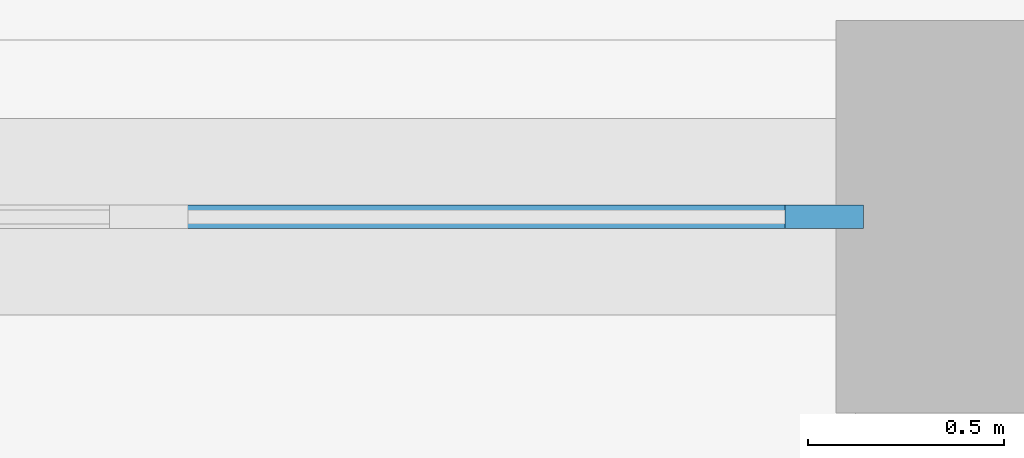
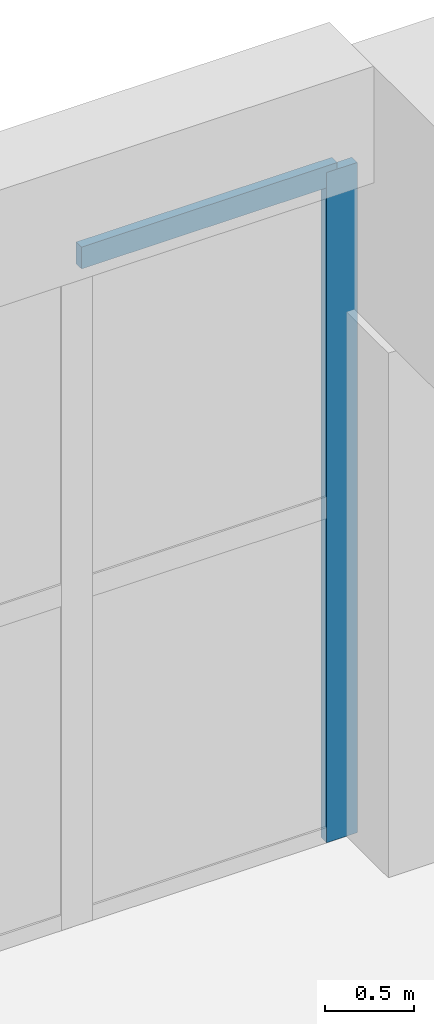
# One storey, part 9 of 25: 2 members, 1 element without a shape of its own.
"""IFC4 building model written with IfcOpenShell, lengths in metres."""

import ifcopenshell
import ifcopenshell.guid

model = None  # the IFC model being written
_history = None  # IfcOwnerHistory: only IFC2X3 demands one
_inside = {}  # id of a spatial element -> (the spatial element, [elements in it])
_under = {}  # id of a project, library or spatial element -> (it, [spatial elements below it])
_declared = {}  # id of a project -> (the project, [libraries it declares])
_typed = {}  # id of a type object -> (the type object, [elements of that type])
_made_of = {}  # id of a material, layer set ... -> (it, [elements and type objects made of it])


def new_model(schema):
    """Start an empty IFC model of exactly this schema.

    Asked for "IFC4X3", IfcOpenShell would pick the latest addendum, in which some entities
    have other attributes; the version numbers below select the first issue.
    IFC2X3 requires an IfcOwnerHistory on every rooted entity: one is made here for all.
    """
    global model, _history
    if schema == "IFC4X3":
        model = ifcopenshell.file(schema_version=(4, 3, 0, 0))
    else:
        model = ifcopenshell.file(schema=schema)
    _inside.clear()
    _under.clear()
    _declared.clear()
    _typed.clear()
    _made_of.clear()
    _history = None
    if model.schema == "IFC2X3":
        org = make("IfcOrganization", Name="unknown")
        user = make(
            "IfcPersonAndOrganization",
            ThePerson=make("IfcPerson", FamilyName="unknown"),
            TheOrganization=org,
        )
        app = make(
            "IfcApplication",
            ApplicationDeveloper=org,
            Version="unknown",
            ApplicationFullName="unknown",
            ApplicationIdentifier="unknown",
        )
        _history = make(
            "IfcOwnerHistory",
            OwningUser=user,
            OwningApplication=app,
            ChangeAction="ADDED",
            CreationDate=0,
        )
    return model


def make(cls, **values):
    """One entity of the class cls with the attributes given. An attribute that is None is left unset."""
    return model.create_entity(
        cls, **{name: value for name, value in values.items() if value is not None}
    )


def rooted(cls, **values):
    """An entity with a GlobalId (a new one), such as an element, a storey or a relation."""
    return make(cls, GlobalId=ifcopenshell.guid.new(), OwnerHistory=_history, **values)


def si_unit(unit_type, name, prefix=None):
    """IfcSIUnit, for example si_unit("LENGTHUNIT", "METRE", prefix="MILLI")."""
    return make("IfcSIUnit", UnitType=unit_type, Prefix=prefix, Name=name)


def assignment(units):
    """IfcUnitAssignment: the units of a project."""
    return None if units is None else make("IfcUnitAssignment", Units=units)


def point(xyz):
    """IfcCartesianPoint."""
    return None if xyz is None else make("IfcCartesianPoint", Coordinates=xyz)


def direction(xyz):
    """IfcDirection."""
    return None if xyz is None else make("IfcDirection", DirectionRatios=xyz)


def frame(location, z_axis=None, x_axis=None):
    """IfcAxis2Placement3D, a coordinate frame: its origin and axes. An axis left out is left unset."""
    return make(
        "IfcAxis2Placement3D",
        Location=point(location),
        Axis=direction(z_axis),
        RefDirection=direction(x_axis),
    )


def frame_2d(location, x_axis=None):
    """IfcAxis2Placement2D, a coordinate frame in the plane: its origin and x axis."""
    return make(
        "IfcAxis2Placement2D", Location=point(location), RefDirection=direction(x_axis)
    )


def origin():
    """The frame at (0, 0, 0) with its axes left unset."""
    return frame((0.0, 0.0, 0.0))


def origin_2d():
    """The frame at (0, 0) in the plane with its x axis left unset."""
    return frame_2d((0.0, 0.0))


def place(relative_to, where):
    """IfcLocalPlacement: puts the frame where relative to a parent placement (None: the world)."""
    return make(
        "IfcLocalPlacement", PlacementRelTo=relative_to, RelativePlacement=where
    )


def context(
    kind, dimensions, precision=None, world=None, true_north=None, identifier=None
):
    """IfcGeometricRepresentationContext, for example the 3D "Model" context."""
    return make(
        "IfcGeometricRepresentationContext",
        ContextIdentifier=identifier,
        ContextType=kind,
        CoordinateSpaceDimension=dimensions,
        Precision=precision,
        WorldCoordinateSystem=world,
        TrueNorth=true_north,
    )


def subcontext(parent, identifier, kind, view, scale=None):
    """IfcGeometricRepresentationSubContext, for example "Body" below "Model"."""
    return make(
        "IfcGeometricRepresentationSubContext",
        ContextIdentifier=identifier,
        ContextType=kind,
        ParentContext=parent,
        TargetScale=scale,
        TargetView=view,
    )


def project(units=None, contexts=None):
    """IfcProject with its units and contexts."""
    return rooted(
        "IfcProject",
        Name="project",
        RepresentationContexts=contexts,
        UnitsInContext=assignment(units),
    )


def spatial(cls, under=None, at=None, **own):
    """A site, building, storey or space (cls), placed at a placement, below another one or the project."""
    s = rooted(cls, ObjectPlacement=at, **own)
    if under is not None:
        _under.setdefault(under.id(), (under, []))[1].append(s)
    return s


def profile(cls, at=None, kind="AREA", **sizes):
    """A parametric profile (cls). Its sizes go by their IFC names, for example OverallWidth=200.0."""
    return make(cls, ProfileType=kind, Position=at, **sizes)


def rectangle(**sizes):
    """IfcRectangleProfileDef."""
    return profile("IfcRectangleProfileDef", **sizes)


def extrude(swept, where, along, depth):
    """IfcExtrudedAreaSolid: the profile swept, set in the frame where, extruded along a direction by depth."""
    return make(
        "IfcExtrudedAreaSolid",
        SweptArea=swept,
        Position=where,
        ExtrudedDirection=direction(along),
        Depth=depth,
    )


def shape(context_of_items, identifier, shape_type, items):
    """IfcShapeRepresentation: the items that make up one representation, for example the "Body"."""
    return make(
        "IfcShapeRepresentation",
        ContextOfItems=context_of_items,
        RepresentationIdentifier=identifier,
        RepresentationType=shape_type,
        Items=items,
    )


def material(Name=None, Category=None):
    """IfcMaterial."""
    return make("IfcMaterial", Name=Name, Category=Category)


def material_profile(
    of_material, cross_section, Name=None, Category=None, Priority=None
):
    """IfcMaterialProfile: a cross section and its material."""
    return make(
        "IfcMaterialProfile",
        Name=Name,
        Material=of_material,
        Profile=cross_section,
        Priority=Priority,
        Category=Category,
    )


def profile_set(profiles, Name=None, composite=None):
    """IfcMaterialProfileSet."""
    return make(
        "IfcMaterialProfileSet",
        Name=Name,
        MaterialProfiles=profiles,
        CompositeProfile=composite,
    )


def made_of(thing, what):
    """Note that an element or type object is made of a material, layer set ...; save() writes the relation."""
    if what is not None:
        _made_of.setdefault(what.id(), (what, []))[1].append(thing)
    return thing


def type_object(cls, material=None, **own):
    """A type object (cls), such as IfcWallType, which elements share."""
    return made_of(rooted(cls, **own), material)


def element(
    cls,
    number,
    at=None,
    inside=None,
    cuts=None,
    type_object=None,
    material=None,
    context=None,
    identifier="Body",
    shape_type=None,
    held_by="IfcProductDefinitionShape",
    body=None,
    shapes=None,
    **own,
):
    """One element of the class cls, such as IfcWall. Its Tag is "e" and its number.

    at: its placement. inside: the storey or other place that contains it. cuts: it is an
    opening in that element (IfcRelVoidsElement). A single representation is given by context,
    identifier, shape_type and body (its items); several are given by shapes. held_by: the class
    of the entity that holds the representations. save() writes the other relations.
    """
    e = rooted(cls, Tag="e%d" % number, ObjectPlacement=at, **own)
    if body is not None:
        shapes = [shape(context, identifier, shape_type, body)]
    if shapes is not None:
        e.Representation = make(held_by, Representations=shapes)
    if inside is not None:
        _inside.setdefault(inside.id(), (inside, []))[1].append(e)
    if cuts is not None:
        rooted(
            "IfcRelVoidsElement", RelatingBuildingElement=cuts, RelatedOpeningElement=e
        )
    if type_object is not None:
        _typed.setdefault(type_object.id(), (type_object, []))[1].append(e)
    return made_of(e, material)


def aggregate(whole, parts):
    """IfcRelAggregates: a whole, such as a stair, and the parts it consists of."""
    return rooted("IfcRelAggregates", RelatingObject=whole, RelatedObjects=parts)


def save(model, path):
    """Write the relations noted so far, then the file.

    IfcRelAggregates (storeys below a building ...), IfcRelContainedInSpatialStructure (elements
    in a storey), IfcRelDefinesByType, IfcRelAssociatesMaterial and IfcRelDeclares: one each for
    every whole, place, type object, material and project.
    """
    for whole, parts in _under.values():
        aggregate(whole, parts)
    for where, things in _inside.values():
        rooted(
            "IfcRelContainedInSpatialStructure",
            RelatedElements=things,
            RelatingStructure=where,
        )
    for kind, things in _typed.values():
        rooted("IfcRelDefinesByType", RelatedObjects=things, RelatingType=kind)
    for what, things in _made_of.values():
        rooted("IfcRelAssociatesMaterial", RelatedObjects=things, RelatingMaterial=what)
    for by, libraries in _declared.values():
        rooted("IfcRelDeclares", RelatingContext=by, RelatedDefinitions=libraries)
    model.write(path)


model = new_model("IFC4")

# Units and contexts
model_context = context("Model", 3, precision=1e-05, world=origin(), true_north=direction((0.0, 1.0)))
body_context = subcontext(model_context, "Body", "Model", "MODEL_VIEW")
ifc_project = project(units=[si_unit("LENGTHUNIT", "METRE"), si_unit("AREAUNIT", "SQUARE_METRE"), si_unit("VOLUMEUNIT", "CUBIC_METRE"), si_unit("PLANEANGLEUNIT", "RADIAN"), si_unit("MASSUNIT", "GRAM", prefix="KILO")], contexts=[model_context])

# Site, building, storey
site_placement = place(None, origin())
site = spatial("IfcSite", under=ifc_project, at=site_placement, CompositionType="ELEMENT")
building_placement = place(site_placement, origin())
building = spatial("IfcBuilding", under=site, at=building_placement, Name="Corbel Stack Research Tower", CompositionType="ELEMENT")
storey_placement = place(building_placement, frame((0.0, 0.0, 220.199951171875)))
storey = spatial("IfcBuildingStorey", under=building, at=storey_placement, Name="L50", CompositionType="ELEMENT", Elevation=220.199951171875)

# Curtain wall, members
ifc_material_1 = material(Name="Aluminium frame, clear glass", Category="aluminium")
curtain_wall_type = type_object("IfcCurtainWallType", Name="Upper amenity floor curtain wall CW3", PredefinedType="NOTDEFINED", material=ifc_material_1)
curtain_wall_placement = place(storey_placement, origin())
curtain_wall = element("IfcCurtainWall", 1, at=curtain_wall_placement, inside=storey, type_object=curtain_wall_type, Name="Curtain wall CW3 L50 N01", PredefinedType="NOTDEFINED")
ifc_material_2 = material(Name="Aluminium mullion", Category="aluminium")
ifc_material_profile_1 = material_profile(ifc_material_2, rectangle(XDim=0.06005859375, YDim=0.199951171875, at=origin_2d()), Name="Mullion 60 x 200")
ifc_profile_set_1 = profile_set([ifc_material_profile_1], Name="Aluminium mullion")
member_type_1 = type_object("IfcMemberType", Name="Curtain wall mullion 60 x 200", PredefinedType="MULLION", material=ifc_profile_set_1)
member_1_placement = place(storey_placement, frame((26.469970703125, 27.0, 0.0), z_axis=(0.0, 0.0, 1.0), x_axis=(0.0, -1.0, 0.0)))
member_1 = element("IfcMember", 2, at=member_1_placement, type_object=member_type_1, Name="CW3 mullion 1", PredefinedType="MULLION", context=body_context, shape_type="SweptSolid", body=[
    extrude(rectangle(XDim=0.06005859375, YDim=0.199951171875, at=origin_2d()), origin(), (0.0, 0.0, 1.0), 4.60009765625),
])
ifc_material_3 = material(Name="Aluminium transom", Category="aluminium")
ifc_material_profile_2 = material_profile(ifc_material_3, rectangle(XDim=0.06005859375, YDim=0.14990234375, at=origin_2d()), Name="Transom 60 x 150")
ifc_profile_set_2 = profile_set([ifc_material_profile_2], Name="Aluminium transom")
member_type_2 = type_object("IfcMemberType", Name="Curtain wall transom 60 x 150", PredefinedType="USERDEFINED", material=ifc_profile_set_2)
member_2_placement = place(storey_placement, frame((26.43994140625, 27.0, 4.570068359375), z_axis=(-1.0, 0.0, 0.0), x_axis=(0.0, -1.0, 0.0)))
member_2 = element("IfcMember", 3, at=member_2_placement, type_object=member_type_2, Name="CW3 transom 1.3", ObjectType="TRANSOM", PredefinedType="USERDEFINED", context=body_context, shape_type="SweptSolid", body=[
    extrude(rectangle(XDim=0.06005859375, YDim=0.14990234375, at=origin_2d()), origin(), (0.0, 0.0, 1.0), 1.659912109375),
])
aggregate(curtain_wall, [member_1, member_2])

save(model, "model.ifc")
